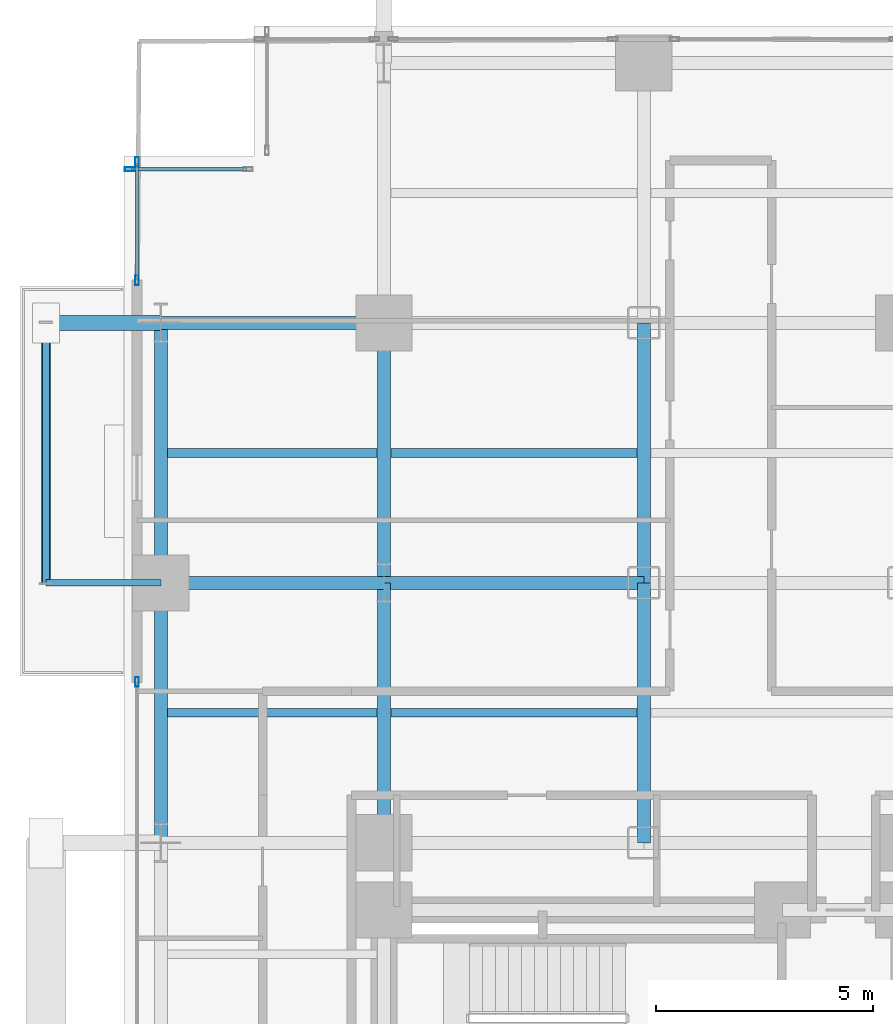
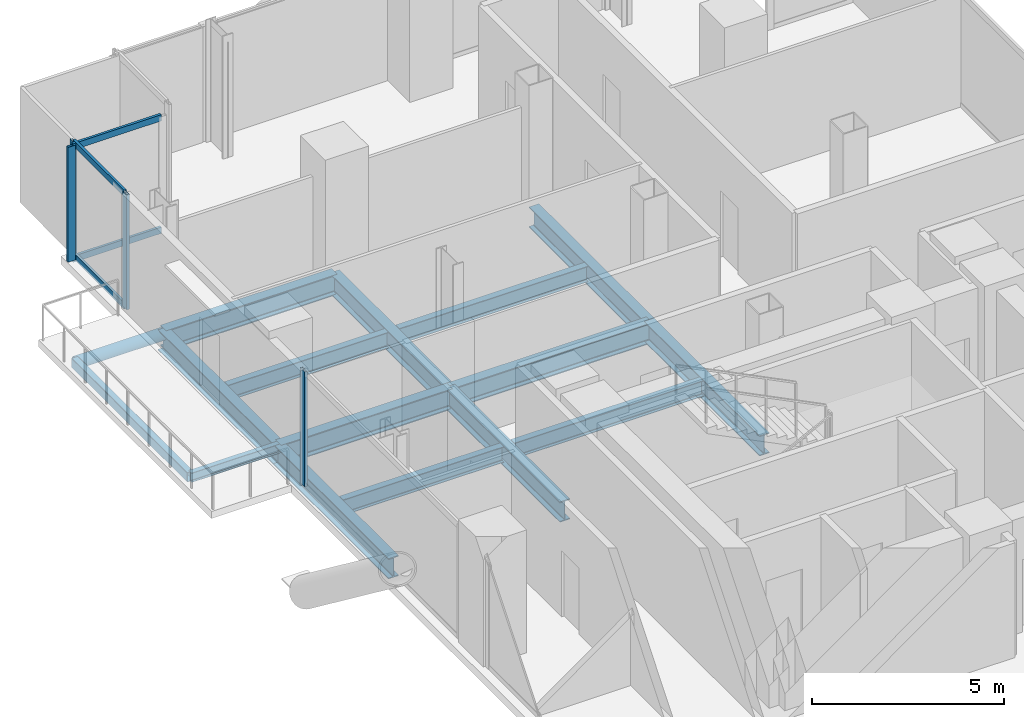
# One storey, part 13 of 27: 15 beams, 9 members, 3 elements without a shape of their own.
"""IFC4 building model written with IfcOpenShell, lengths in metres."""

import ifcopenshell
import ifcopenshell.guid

model = None  # the IFC model being written
_history = None  # IfcOwnerHistory: only IFC2X3 demands one
_inside = {}  # id of a spatial element -> (the spatial element, [elements in it])
_under = {}  # id of a project, library or spatial element -> (it, [spatial elements below it])
_declared = {}  # id of a project -> (the project, [libraries it declares])
_typed = {}  # id of a type object -> (the type object, [elements of that type])
_made_of = {}  # id of a material, layer set ... -> (it, [elements and type objects made of it])


def new_model(schema):
    """Start an empty IFC model of exactly this schema.

    Asked for "IFC4X3", IfcOpenShell would pick the latest addendum, in which some entities
    have other attributes; the version numbers below select the first issue.
    IFC2X3 requires an IfcOwnerHistory on every rooted entity: one is made here for all.
    """
    global model, _history
    if schema == "IFC4X3":
        model = ifcopenshell.file(schema_version=(4, 3, 0, 0))
    else:
        model = ifcopenshell.file(schema=schema)
    _inside.clear()
    _under.clear()
    _declared.clear()
    _typed.clear()
    _made_of.clear()
    _history = None
    if model.schema == "IFC2X3":
        org = make("IfcOrganization", Name="unknown")
        user = make(
            "IfcPersonAndOrganization",
            ThePerson=make("IfcPerson", FamilyName="unknown"),
            TheOrganization=org,
        )
        app = make(
            "IfcApplication",
            ApplicationDeveloper=org,
            Version="unknown",
            ApplicationFullName="unknown",
            ApplicationIdentifier="unknown",
        )
        _history = make(
            "IfcOwnerHistory",
            OwningUser=user,
            OwningApplication=app,
            ChangeAction="ADDED",
            CreationDate=0,
        )
    return model


def make(cls, **values):
    """One entity of the class cls with the attributes given. An attribute that is None is left unset."""
    return model.create_entity(
        cls, **{name: value for name, value in values.items() if value is not None}
    )


def rooted(cls, **values):
    """An entity with a GlobalId (a new one), such as an element, a storey or a relation."""
    return make(cls, GlobalId=ifcopenshell.guid.new(), OwnerHistory=_history, **values)


def si_unit(unit_type, name, prefix=None):
    """IfcSIUnit, for example si_unit("LENGTHUNIT", "METRE", prefix="MILLI")."""
    return make("IfcSIUnit", UnitType=unit_type, Prefix=prefix, Name=name)


def assignment(units):
    """IfcUnitAssignment: the units of a project."""
    return None if units is None else make("IfcUnitAssignment", Units=units)


def point(xyz):
    """IfcCartesianPoint."""
    return None if xyz is None else make("IfcCartesianPoint", Coordinates=xyz)


def direction(xyz):
    """IfcDirection."""
    return None if xyz is None else make("IfcDirection", DirectionRatios=xyz)


def frame(location, z_axis=None, x_axis=None):
    """IfcAxis2Placement3D, a coordinate frame: its origin and axes. An axis left out is left unset."""
    return make(
        "IfcAxis2Placement3D",
        Location=point(location),
        Axis=direction(z_axis),
        RefDirection=direction(x_axis),
    )


def frame_2d(location, x_axis=None):
    """IfcAxis2Placement2D, a coordinate frame in the plane: its origin and x axis."""
    return make(
        "IfcAxis2Placement2D", Location=point(location), RefDirection=direction(x_axis)
    )


def origin():
    """The frame at (0, 0, 0) with its axes left unset."""
    return frame((0.0, 0.0, 0.0))


def origin_2d():
    """The frame at (0, 0) in the plane with its x axis left unset."""
    return frame_2d((0.0, 0.0))


def place(relative_to, where):
    """IfcLocalPlacement: puts the frame where relative to a parent placement (None: the world)."""
    return make(
        "IfcLocalPlacement", PlacementRelTo=relative_to, RelativePlacement=where
    )


def context(
    kind, dimensions, precision=None, world=None, true_north=None, identifier=None
):
    """IfcGeometricRepresentationContext, for example the 3D "Model" context."""
    return make(
        "IfcGeometricRepresentationContext",
        ContextIdentifier=identifier,
        ContextType=kind,
        CoordinateSpaceDimension=dimensions,
        Precision=precision,
        WorldCoordinateSystem=world,
        TrueNorth=true_north,
    )


def subcontext(parent, identifier, kind, view, scale=None):
    """IfcGeometricRepresentationSubContext, for example "Body" below "Model"."""
    return make(
        "IfcGeometricRepresentationSubContext",
        ContextIdentifier=identifier,
        ContextType=kind,
        ParentContext=parent,
        TargetScale=scale,
        TargetView=view,
    )


def project(units=None, contexts=None):
    """IfcProject with its units and contexts."""
    return rooted(
        "IfcProject",
        Name="project",
        RepresentationContexts=contexts,
        UnitsInContext=assignment(units),
    )


def spatial(cls, under=None, at=None, **own):
    """A site, building, storey or space (cls), placed at a placement, below another one or the project."""
    s = rooted(cls, ObjectPlacement=at, **own)
    if under is not None:
        _under.setdefault(under.id(), (under, []))[1].append(s)
    return s


def profile(cls, at=None, kind="AREA", **sizes):
    """A parametric profile (cls). Its sizes go by their IFC names, for example OverallWidth=200.0."""
    return make(cls, ProfileType=kind, Position=at, **sizes)


def hollow_rectangle(**sizes):
    """IfcRectangleHollowProfileDef."""
    return profile("IfcRectangleHollowProfileDef", **sizes)


def hollow_circle(**sizes):
    """IfcCircleHollowProfileDef."""
    return profile("IfcCircleHollowProfileDef", **sizes)


def i_section(**sizes):
    """IfcIShapeProfileDef."""
    return profile("IfcIShapeProfileDef", **sizes)


def extrude(swept, where, along, depth):
    """IfcExtrudedAreaSolid: the profile swept, set in the frame where, extruded along a direction by depth."""
    return make(
        "IfcExtrudedAreaSolid",
        SweptArea=swept,
        Position=where,
        ExtrudedDirection=direction(along),
        Depth=depth,
    )


def shape(context_of_items, identifier, shape_type, items):
    """IfcShapeRepresentation: the items that make up one representation, for example the "Body"."""
    return make(
        "IfcShapeRepresentation",
        ContextOfItems=context_of_items,
        RepresentationIdentifier=identifier,
        RepresentationType=shape_type,
        Items=items,
    )


def material(Name=None, Category=None):
    """IfcMaterial."""
    return make("IfcMaterial", Name=Name, Category=Category)


def layer(
    of_material, thickness, ventilated=None, Name=None, Category=None, Priority=None
):
    """IfcMaterialLayer: one layer of a wall or slab, of a material (None: an air gap)."""
    return make(
        "IfcMaterialLayer",
        Material=of_material,
        LayerThickness=thickness,
        IsVentilated=ventilated,
        Name=Name,
        Category=Category,
        Priority=Priority,
    )


def layer_set(layers, Name=None):
    """IfcMaterialLayerSet."""
    return make("IfcMaterialLayerSet", MaterialLayers=layers, LayerSetName=Name)


def material_profile(
    of_material, cross_section, Name=None, Category=None, Priority=None
):
    """IfcMaterialProfile: a cross section and its material."""
    return make(
        "IfcMaterialProfile",
        Name=Name,
        Material=of_material,
        Profile=cross_section,
        Priority=Priority,
        Category=Category,
    )


def profile_set(profiles, Name=None, composite=None):
    """IfcMaterialProfileSet."""
    return make(
        "IfcMaterialProfileSet",
        Name=Name,
        MaterialProfiles=profiles,
        CompositeProfile=composite,
    )


def made_of(thing, what):
    """Note that an element or type object is made of a material, layer set ...; save() writes the relation."""
    if what is not None:
        _made_of.setdefault(what.id(), (what, []))[1].append(thing)
    return thing


def type_object(cls, material=None, **own):
    """A type object (cls), such as IfcWallType, which elements share."""
    return made_of(rooted(cls, **own), material)


def element(
    cls,
    number,
    at=None,
    inside=None,
    cuts=None,
    type_object=None,
    material=None,
    context=None,
    identifier="Body",
    shape_type=None,
    held_by="IfcProductDefinitionShape",
    body=None,
    shapes=None,
    **own,
):
    """One element of the class cls, such as IfcWall. Its Tag is "e" and its number.

    at: its placement. inside: the storey or other place that contains it. cuts: it is an
    opening in that element (IfcRelVoidsElement). A single representation is given by context,
    identifier, shape_type and body (its items); several are given by shapes. held_by: the class
    of the entity that holds the representations. save() writes the other relations.
    """
    e = rooted(cls, Tag="e%d" % number, ObjectPlacement=at, **own)
    if body is not None:
        shapes = [shape(context, identifier, shape_type, body)]
    if shapes is not None:
        e.Representation = make(held_by, Representations=shapes)
    if inside is not None:
        _inside.setdefault(inside.id(), (inside, []))[1].append(e)
    if cuts is not None:
        rooted(
            "IfcRelVoidsElement", RelatingBuildingElement=cuts, RelatedOpeningElement=e
        )
    if type_object is not None:
        _typed.setdefault(type_object.id(), (type_object, []))[1].append(e)
    return made_of(e, material)


def aggregate(whole, parts):
    """IfcRelAggregates: a whole, such as a stair, and the parts it consists of."""
    return rooted("IfcRelAggregates", RelatingObject=whole, RelatedObjects=parts)


def save(model, path):
    """Write the relations noted so far, then the file.

    IfcRelAggregates (storeys below a building ...), IfcRelContainedInSpatialStructure (elements
    in a storey), IfcRelDefinesByType, IfcRelAssociatesMaterial and IfcRelDeclares: one each for
    every whole, place, type object, material and project.
    """
    for whole, parts in _under.values():
        aggregate(whole, parts)
    for where, things in _inside.values():
        rooted(
            "IfcRelContainedInSpatialStructure",
            RelatedElements=things,
            RelatingStructure=where,
        )
    for kind, things in _typed.values():
        rooted("IfcRelDefinesByType", RelatedObjects=things, RelatingType=kind)
    for what, things in _made_of.values():
        rooted("IfcRelAssociatesMaterial", RelatedObjects=things, RelatingMaterial=what)
    for by, libraries in _declared.values():
        rooted("IfcRelDeclares", RelatingContext=by, RelatedDefinitions=libraries)
    model.write(path)


model = new_model("IFC4")

# Units and contexts
model_context = context("Model", 3, precision=1e-05, world=origin(), true_north=direction((0.0, 1.0)))
body_context = subcontext(model_context, "Body", "Model", "MODEL_VIEW")
ifc_project = project(units=[si_unit("LENGTHUNIT", "METRE"), si_unit("AREAUNIT", "SQUARE_METRE"), si_unit("VOLUMEUNIT", "CUBIC_METRE"), si_unit("PLANEANGLEUNIT", "RADIAN"), si_unit("MASSUNIT", "GRAM", prefix="KILO"), si_unit("THERMODYNAMICTEMPERATUREUNIT", "KELVIN"), si_unit("POWERUNIT", "WATT")], contexts=[model_context])

# Site, building, storey
site_placement = place(None, origin())
site = spatial("IfcSite", under=ifc_project, at=site_placement, CompositionType="ELEMENT")
building_placement = place(site_placement, origin())
building = spatial("IfcBuilding", under=site, at=building_placement, Name="Svarakhadi Broadcast Tower", CompositionType="ELEMENT")
storey_placement = place(building_placement, frame((0.0, 0.0, 87.0)))
storey = spatial("IfcBuildingStorey", under=building, at=storey_placement, Name="L20", CompositionType="ELEMENT", Elevation=87.0)

# Beams
ifc_material_1 = material(Name="Steel S355J2 (IS 2062 E350C)", Category="steel")
ifc_material_profile_1 = material_profile(ifc_material_1, i_section(OverallWidth=0.199951171875, OverallDepth=0.5, WebThickness=0.01025390625, FlangeThickness=0.01611328125, FilletRadius=0.02099609375, at=origin_2d()), Name="NPB 500x200x91")
ifc_profile_set_1 = profile_set([ifc_material_profile_1], Name="Steel S355J2 (IS 2062 E350C)")
beam_type_1 = type_object("IfcBeamType", Name="Beam_NPB500", PredefinedType="BEAM", material=ifc_profile_set_1)
for number, where, z_axis, x_axis, name in (
    (1, (1.010009765625, 32.14990234375, -0.5), (1.0, 0.0, 0.0), (0.0, 1.0, 0.0), "L20 Secondary Composite Beam SB005"),
    (2, (1.010009765625, 38.14990234375, -0.5), (1.0, 0.0, 0.0), (0.0, 1.0, 0.0), "L20 Secondary Composite Beam SB006"),
):
    element("IfcBeam", number, at=place(storey_placement, frame(where, z_axis=z_axis, x_axis=x_axis)), inside=storey, type_object=beam_type_1, Name=name, PredefinedType="BEAM", context=body_context, shape_type="SweptSolid", body=[
        extrude(i_section(OverallWidth=0.199951171875, OverallDepth=0.5, WebThickness=0.01025390625, FlangeThickness=0.01611328125, FilletRadius=0.02099609375, at=origin_2d()), origin(), (0.0, 0.0, 1.0), 4.830078125),
    ])
for number, where, z_axis, x_axis, name in (
    (3, (6.159912109375, 32.14990234375, -0.5), (1.0, 0.0, 0.0), (0.0, 1.0, 0.0), "L20 Secondary Composite Beam SB010"),
    (4, (6.159912109375, 38.14990234375, -0.5), (1.0, 0.0, 0.0), (0.0, 1.0, 0.0), "L20 Secondary Composite Beam SB011"),
):
    element("IfcBeam", number, at=place(storey_placement, frame(where, z_axis=z_axis, x_axis=x_axis)), inside=storey, type_object=beam_type_1, Name=name, PredefinedType="BEAM", context=body_context, shape_type="SweptSolid", body=[
        extrude(i_section(OverallWidth=0.199951171875, OverallDepth=0.5, WebThickness=0.01025390625, FlangeThickness=0.01611328125, FilletRadius=0.02099609375, at=origin_2d()), origin(), (0.0, 0.0, 1.0), 5.68017578125),
    ])

# Curtain wall, member
ifc_material_2 = material(Name="Anodised Bronze Aluminium AA 6063-T6", Category="aluminium")
ifc_layer = layer(ifc_material_2, 0.219970703125)
ifc_layer_set = layer_set([ifc_layer], Name="Anodised Bronze Aluminium AA 6063-T6")
curtain_wall_type = type_object("IfcCurtainWallType", Name="CW_Sys_02", PredefinedType="NOTDEFINED", material=ifc_layer_set)
curtain_wall_1_placement = place(storey_placement, origin())
curtain_wall_1 = element("IfcCurtainWall", 5, at=curtain_wall_1_placement, inside=storey, type_object=curtain_wall_type, Name="L20 West Curtain Wall 02 Bay 3", PredefinedType="NOTDEFINED")
ifc_material_profile_2 = material_profile(ifc_material_2, hollow_rectangle(XDim=0.0849609375, YDim=0.219970703125, WallThickness=0.006103515625, at=origin_2d()), Name="ALU MULLION 220x85x6")
ifc_profile_set_2 = profile_set([ifc_material_profile_2], Name="Anodised Bronze Aluminium AA 6063-T6")
member_type_1 = type_object("IfcMemberType", Name="CW_Sys_02_Mul", PredefinedType="MULLION", material=ifc_profile_set_2)
member_1_placement = place(storey_placement, frame((0.300048828125, 32.867431640625, 0.0), z_axis=(0.0, 0.0, 1.0), x_axis=(-1.0, 0.0, 0.0)))
member_1 = element("IfcMember", 6, at=member_1_placement, type_object=member_type_1, Name="CW-02 mullion 2", PredefinedType="MULLION", context=body_context, shape_type="SweptSolid", body=[
    extrude(hollow_rectangle(XDim=0.0849609375, YDim=0.219970703125, WallThickness=0.006103515625, at=origin_2d()), origin(), (0.0, 0.0, 1.0), 3.64990234375),
])
aggregate(curtain_wall_1, [member_1])

# Curtain wall, members
curtain_wall_2_placement = place(storey_placement, origin())
curtain_wall_2 = element("IfcCurtainWall", 7, at=curtain_wall_2_placement, inside=storey, type_object=curtain_wall_type, Name="L20 West Curtain Wall 03", PredefinedType="NOTDEFINED")
member_2_placement = place(storey_placement, frame((0.300048828125, 42.132568359375, 0.0), z_axis=(0.0, 0.0, 1.0), x_axis=(-1.0, 0.0, 0.0)))
member_2 = element("IfcMember", 8, at=member_2_placement, type_object=member_type_1, Name="CW-02 mullion 1", PredefinedType="MULLION", context=body_context, shape_type="SweptSolid", body=[
    extrude(hollow_rectangle(XDim=0.0849609375, YDim=0.219970703125, WallThickness=0.006103515625, at=origin_2d()), origin(), (0.0, 0.0, 1.0), 3.64990234375),
])
member_3_placement = place(storey_placement, frame((0.300048828125, 44.867431640625, 0.0), z_axis=(0.0, 0.0, 1.0), x_axis=(-1.0, 0.0, 0.0)))
member_3 = element("IfcMember", 9, at=member_3_placement, type_object=member_type_1, Name="CW-02 mullion 2", PredefinedType="MULLION", context=body_context, shape_type="SweptSolid", body=[
    extrude(hollow_rectangle(XDim=0.0849609375, YDim=0.219970703125, WallThickness=0.006103515625, at=origin_2d()), origin(), (0.0, 0.0, 1.0), 3.64990234375),
])

# Curtain wall, member
curtain_wall_3_placement = place(storey_placement, origin())
curtain_wall_3 = element("IfcCurtainWall", 10, at=curtain_wall_3_placement, inside=storey, type_object=curtain_wall_type, Name="L20 Unitised Facade Curtain Wall 04", PredefinedType="NOTDEFINED")
member_4_placement = place(storey_placement, frame((0.132568359375, 44.699951171875, 0.0), z_axis=(0.0, 0.0, 1.0), x_axis=(0.0, 1.0, 0.0)))
member_4 = element("IfcMember", 11, at=member_4_placement, type_object=member_type_1, Name="CW-02 mullion 1", PredefinedType="MULLION", context=body_context, shape_type="SweptSolid", body=[
    extrude(hollow_rectangle(XDim=0.0849609375, YDim=0.219970703125, WallThickness=0.006103515625, at=origin_2d()), origin(), (0.0, 0.0, 1.0), 3.64990234375),
])

# Member
ifc_material_profile_3 = material_profile(ifc_material_2, hollow_rectangle(XDim=0.074951171875, YDim=0.199951171875, WallThickness=0.0048828125, at=origin_2d()), Name="ALU TRANSOM 200x75x5")
ifc_profile_set_3 = profile_set([ifc_material_profile_3], Name="Anodised Bronze Aluminium AA 6063-T6")
member_type_2 = type_object("IfcMemberType", Name="CW_Sys_02_Trn", PredefinedType="USERDEFINED", material=ifc_profile_set_3)
member_5_placement = place(storey_placement, frame((0.300048828125, 42.175048828125, 0.03759765625), z_axis=(0.0, 1.0, 0.0), x_axis=(-1.0, 0.0, 0.0)))
member_5 = element("IfcMember", 12, at=member_5_placement, type_object=member_type_2, Name="CW-02 transom 1.1", ObjectType="TRANSOM", PredefinedType="USERDEFINED", context=body_context, shape_type="SweptSolid", body=[
    extrude(hollow_rectangle(XDim=0.074951171875, YDim=0.199951171875, WallThickness=0.0048828125, at=origin_2d()), origin(), (0.0, 0.0, 1.0), 2.64990234375),
])

member_6_placement = place(storey_placement, frame((0.300048828125, 42.175048828125, 3.612548828125), z_axis=(0.0, 1.0, 0.0), x_axis=(-1.0, 0.0, 0.0)))
member_6 = element("IfcMember", 13, at=member_6_placement, type_object=member_type_2, Name="CW-02 transom 1.2", ObjectType="TRANSOM", PredefinedType="USERDEFINED", context=body_context, shape_type="SweptSolid", body=[
    extrude(hollow_rectangle(XDim=0.074951171875, YDim=0.199951171875, WallThickness=0.0048828125, at=origin_2d()), origin(), (0.0, 0.0, 1.0), 2.64990234375),
])

aggregate(curtain_wall_2, [member_2, member_3, member_5, member_6])

member_7_placement = place(storey_placement, frame((0.175048828125, 44.699951171875, 0.03759765625), z_axis=(1.0, 0.0, 0.0), x_axis=(0.0, 1.0, 0.0)))
member_7 = element("IfcMember", 14, at=member_7_placement, type_object=member_type_2, Name="CW-02 transom 1.1", ObjectType="TRANSOM", PredefinedType="USERDEFINED", context=body_context, shape_type="SweptSolid", body=[
    extrude(hollow_rectangle(XDim=0.074951171875, YDim=0.199951171875, WallThickness=0.0048828125, at=origin_2d()), origin(), (0.0, 0.0, 1.0), 2.64990234375),
])

member_8_placement = place(storey_placement, frame((0.175048828125, 44.699951171875, 3.612548828125), z_axis=(1.0, 0.0, 0.0), x_axis=(0.0, 1.0, 0.0)))
member_8 = element("IfcMember", 15, at=member_8_placement, type_object=member_type_2, Name="CW-02 transom 1.2", ObjectType="TRANSOM", PredefinedType="USERDEFINED", context=body_context, shape_type="SweptSolid", body=[
    extrude(hollow_rectangle(XDim=0.074951171875, YDim=0.199951171875, WallThickness=0.0048828125, at=origin_2d()), origin(), (0.0, 0.0, 1.0), 2.64990234375),
])

aggregate(curtain_wall_3, [member_4, member_7, member_8])

ifc_material_3 = material(Name="Steel S460ML (IS 2062 E450BR)", Category="steel")
ifc_material_profile_4 = material_profile(ifc_material_3, hollow_circle(Radius=0.177734375, WallThickness=0.02001953125, at=origin_2d()), Name="CHS 355.6x20")
ifc_profile_set_4 = profile_set([ifc_material_profile_4], Name="Steel S460ML (IS 2062 E450BR)")
member_type_3 = type_object("IfcMemberType", Name="Exo_Radial_Strut_Z1", PredefinedType="STRUT", material=ifc_profile_set_4)
member_9_placement = place(storey_placement, frame((-1.800048828125, 41.14990234375, -0.427734375), z_axis=(1.0, 0.0, 0.0), x_axis=(0.0, 1.0, 0.0)))
element("IfcMember", 16, at=member_9_placement, inside=storey, type_object=member_type_3, Name="L20 Exoskeleton Radial Tie Strut W08", PredefinedType="STRUT", context=body_context, shape_type="SweptSolid", body=[
    extrude(hollow_circle(Radius=0.177734375, WallThickness=0.02001953125, at=origin_2d()), origin(), (0.0, 0.0, 1.0), 2.650146484375),
])

# Beams
ifc_material_profile_5 = material_profile(ifc_material_1, i_section(OverallWidth=0.300048828125, OverallDepth=0.64990234375, WebThickness=0.01611328125, FlangeThickness=0.031005859375, FilletRadius=0.027099609375, at=origin_2d()), Name="WPB 650x300x225")
ifc_profile_set_5 = profile_set([ifc_material_profile_5], Name="Steel S355J2 (IS 2062 E350C)")
beam_type_2 = type_object("IfcBeamType", Name="Girder_WPB650", PredefinedType="USERDEFINED", material=ifc_profile_set_5)
beam_1_placement = place(storey_placement, frame((0.85009765625, 35.14990234375, -0.574951171875), z_axis=(1.0, 0.0, 0.0), x_axis=(0.0, 1.0, 0.0)))
element("IfcBeam", 17, at=beam_1_placement, inside=storey, type_object=beam_type_2, Name="L20 Primary E-W Girder G037", ObjectType="GIRDER", PredefinedType="USERDEFINED", context=body_context, shape_type="SweptSolid", body=[
    extrude(i_section(OverallWidth=0.300048828125, OverallDepth=0.64990234375, WebThickness=0.01611328125, FlangeThickness=0.031005859375, FilletRadius=0.027099609375, at=origin_2d()), origin(), (0.0, 0.0, 1.0), 5.14990234375),
])
beam_2_placement = place(storey_placement, frame((6.0, 35.14990234375, -0.574951171875), z_axis=(1.0, 0.0, 0.0), x_axis=(0.0, 1.0, 0.0)))
element("IfcBeam", 18, at=beam_2_placement, inside=storey, type_object=beam_type_2, Name="L20 Primary E-W Girder G038", ObjectType="GIRDER", PredefinedType="USERDEFINED", context=body_context, shape_type="SweptSolid", body=[
    extrude(i_section(OverallWidth=0.300048828125, OverallDepth=0.64990234375, WebThickness=0.01611328125, FlangeThickness=0.031005859375, FilletRadius=0.027099609375, at=origin_2d()), origin(), (0.0, 0.0, 1.0), 6.0),
])
beam_3_placement = place(storey_placement, frame((0.85009765625, 41.14990234375, -0.574951171875), z_axis=(1.0, 0.0, 0.0), x_axis=(0.0, 1.0, 0.0)))
element("IfcBeam", 19, at=beam_3_placement, inside=storey, type_object=beam_type_2, Name="L20 Primary E-W Girder G040", ObjectType="GIRDER", PredefinedType="USERDEFINED", context=body_context, shape_type="SweptSolid", body=[
    extrude(i_section(OverallWidth=0.300048828125, OverallDepth=0.64990234375, WebThickness=0.01611328125, FlangeThickness=0.031005859375, FilletRadius=0.027099609375, at=origin_2d()), origin(), (0.0, 0.0, 1.0), 5.14990234375),
])
for number, where, z_axis, x_axis, name in (
    (20, (0.85009765625, 29.14990234375, -0.574951171875), (0.0, 1.0, 0.0), (-1.0, 0.0, 0.0), "L20 Primary N-S Girder G049"),
    (21, (0.85009765625, 35.14990234375, -0.574951171875), (0.0, 1.0, 0.0), (-1.0, 0.0, 0.0), "L20 Primary N-S Girder G050"),
    (22, (6.0, 29.14990234375, -0.574951171875), (0.0, 1.0, 0.0), (-1.0, 0.0, 0.0), "L20 Primary N-S Girder G055"),
    (23, (6.0, 35.14990234375, -0.574951171875), (0.0, 1.0, 0.0), (-1.0, 0.0, 0.0), "L20 Primary N-S Girder G056"),
    (24, (12.0, 29.14990234375, -0.574951171875), (0.0, 1.0, 0.0), (-1.0, 0.0, 0.0), "L20 Primary N-S Girder G061"),
    (25, (12.0, 35.14990234375, -0.574951171875), (0.0, 1.0, 0.0), (-1.0, 0.0, 0.0), "L20 Primary N-S Girder G062"),
):
    element("IfcBeam", number, at=place(storey_placement, frame(where, z_axis=z_axis, x_axis=x_axis)), inside=storey, type_object=beam_type_2, Name=name, ObjectType="GIRDER", PredefinedType="USERDEFINED", context=body_context, shape_type="SweptSolid", body=[
        extrude(i_section(OverallWidth=0.300048828125, OverallDepth=0.64990234375, WebThickness=0.01611328125, FlangeThickness=0.031005859375, FilletRadius=0.027099609375, at=origin_2d()), origin(), (0.0, 0.0, 1.0), 6.0),
    ])
ifc_material_profile_6 = material_profile(ifc_material_1, i_section(OverallWidth=0.14990234375, OverallDepth=0.300048828125, WebThickness=0.007080078125, FlangeThickness=0.0107421875, FilletRadius=0.014892578125, at=origin_2d()), Name="NPB 300x150x37")
ifc_profile_set_6 = profile_set([ifc_material_profile_6], Name="Steel S355J2 (IS 2062 E350C)")
beam_type_3 = type_object("IfcBeamType", Name="Spandrel_NPB300", PredefinedType="SPANDREL", material=ifc_profile_set_6)
beam_4_placement = place(storey_placement, frame((0.85009765625, 35.14990234375, -0.39990234375), z_axis=(-1.0, 0.0, 0.0), x_axis=(0.0, -1.0, 0.0)))
element("IfcBeam", 26, at=beam_4_placement, inside=storey, type_object=beam_type_3, Name="L20 Balcony Cantilever Bracket 2A", PredefinedType="SPANDREL", context=body_context, shape_type="SweptSolid", body=[
    extrude(i_section(OverallWidth=0.14990234375, OverallDepth=0.300048828125, WebThickness=0.007080078125, FlangeThickness=0.0107421875, FilletRadius=0.014892578125, at=origin_2d()), origin(), (0.0, 0.0, 1.0), 2.650146484375),
])
ifc_material_profile_7 = material_profile(ifc_material_3, hollow_rectangle(XDim=0.199951171875, YDim=0.300048828125, WallThickness=0.012451171875, InnerFilletRadius=0.012451171875, OuterFilletRadius=0.02490234375, at=origin_2d()), Name="RHS 300x200x12.5")
ifc_profile_set_7 = profile_set([ifc_material_profile_7], Name="Steel S460ML (IS 2062 E450BR)")
beam_type_4 = type_object("IfcBeamType", Name="Spandrel_RHS300", PredefinedType="SPANDREL", material=ifc_profile_set_7)
beam_5_placement = place(storey_placement, frame((-1.800048828125, 35.14990234375, -0.39990234375), z_axis=(0.0, 1.0, 0.0), x_axis=(-1.0, 0.0, 0.0)))
element("IfcBeam", 27, at=beam_5_placement, inside=storey, type_object=beam_type_4, Name="L20 Balcony Outer Spandrel 2F", PredefinedType="SPANDREL", context=body_context, shape_type="SweptSolid", body=[
    extrude(hollow_rectangle(XDim=0.199951171875, YDim=0.300048828125, WallThickness=0.012451171875, InnerFilletRadius=0.012451171875, OuterFilletRadius=0.02490234375, at=origin_2d()), origin(), (0.0, 0.0, 1.0), 6.0),
])

save(model, "model.ifc")
